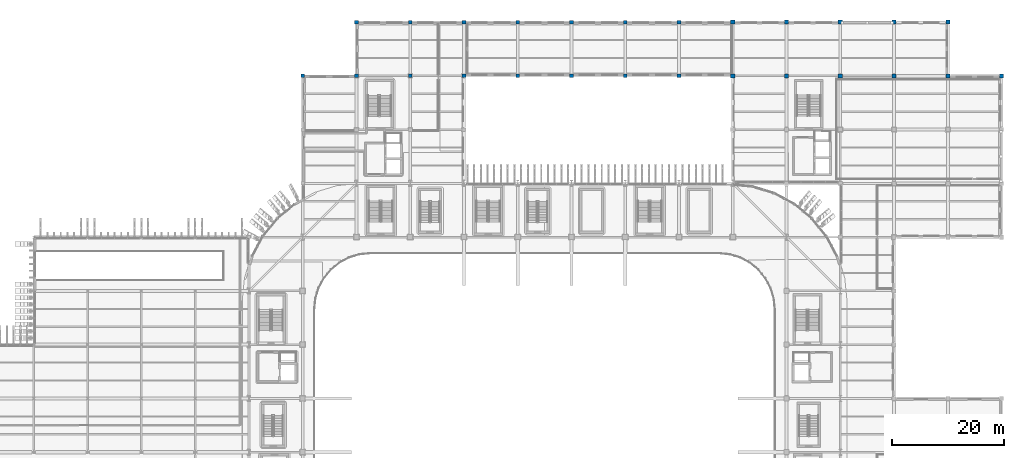
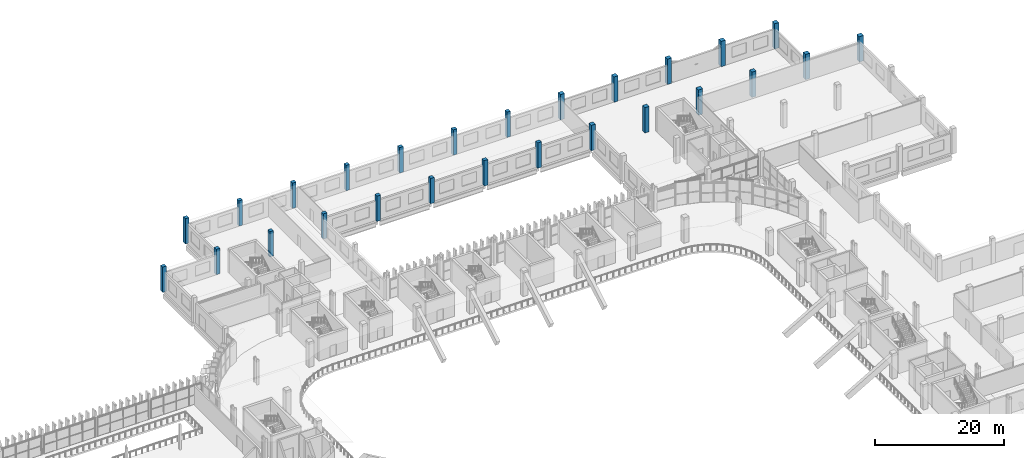
# One storey, part 12 of 100: 26 columns.
"""IFC4 building model written with IfcOpenShell, lengths in metres."""

from ifc_helpers import new_model, si_unit, direction, frame, origin, origin_2d, place, context, subcontext, project, spatial, rectangle, extrude, material, material_profile, profile_set, type_object, element, save


model = new_model("IFC4")

# Units and contexts
model_context = context("Model", 3, precision=1e-05, world=origin(), true_north=direction((0.0, 1.0)))
body_context = subcontext(model_context, "Body", "Model", "MODEL_VIEW")
ifc_project = project(units=[si_unit("LENGTHUNIT", "METRE"), si_unit("AREAUNIT", "SQUARE_METRE"), si_unit("VOLUMEUNIT", "CUBIC_METRE"), si_unit("PLANEANGLEUNIT", "RADIAN"), si_unit("MASSUNIT", "GRAM", prefix="KILO")], contexts=[model_context])

# Site, building, storey
site_placement = place(None, origin())
site = spatial("IfcSite", under=ifc_project, at=site_placement, CompositionType="ELEMENT")
building_placement = place(site_placement, origin())
building = spatial("IfcBuilding", under=site, at=building_placement, Name="Caelomonte Colonnade Arena", CompositionType="ELEMENT")
storey_placement = place(building_placement, origin())
storey = spatial("IfcBuildingStorey", under=building, at=storey_placement, Name="L00", CompositionType="ELEMENT", Elevation=0.0)

# Columns
ifc_material = material(Name="Concrete C40/50", Category="concrete")
ifc_material_profile_1 = material_profile(ifc_material, rectangle(XDim=0.64990234375, YDim=0.64990234375, at=origin_2d()), Name="RC650X650")
ifc_profile_set_1 = profile_set([ifc_material_profile_1], Name="Concrete C40/50")
column_type_1 = type_object("IfcColumnType", Name="STR-COL-RC65", PredefinedType="COLUMN", material=ifc_profile_set_1)
for number, where, z_axis, x_axis, name in (
    (1, (67.199951171875, 134.39990234375, 0.0), (0.0, 0.0, 1.0), (1.0, 0.0, 0.0), "L00 column (67.2, 134.4)"),
    (2, (76.800048828125, 134.39990234375, 0.0), (0.0, 0.0, 1.0), (1.0, 0.0, 0.0), "L00 column (76.8, 134.4)"),
    (3, (76.800048828125, 144.0, 0.0), (0.0, 0.0, 1.0), (1.0, 0.0, 0.0), "L00 column (76.8, 144.0)"),
    (4, (86.39990234375, 134.39990234375, 0.0), (0.0, 0.0, 1.0), (1.0, 0.0, 0.0), "L00 column (86.4, 134.4)"),
    (5, (86.39990234375, 144.0, 0.0), (0.0, 0.0, 1.0), (1.0, 0.0, 0.0), "L00 column (86.4, 144.0)"),
    (6, (96.0, 134.39990234375, 0.0), (0.0, 0.0, 1.0), (1.0, 0.0, 0.0), "L00 column (96.0, 134.4)"),
    (7, (96.0, 144.0, 0.0), (0.0, 0.0, 1.0), (1.0, 0.0, 0.0), "L00 column (96.0, 144.0)"),
    (8, (105.60009765625, 134.39990234375, 0.0), (0.0, 0.0, 1.0), (1.0, 0.0, 0.0), "L00 column (105.6, 134.4)"),
    (9, (105.60009765625, 144.0, 0.0), (0.0, 0.0, 1.0), (1.0, 0.0, 0.0), "L00 column (105.6, 144.0)"),
    (10, (115.199951171875, 134.39990234375, 0.0), (0.0, 0.0, 1.0), (1.0, 0.0, 0.0), "L00 column (115.2, 134.4)"),
    (11, (115.199951171875, 144.0, 0.0), (0.0, 0.0, 1.0), (1.0, 0.0, 0.0), "L00 column (115.2, 144.0)"),
    (12, (124.800048828125, 134.39990234375, 0.0), (0.0, 0.0, 1.0), (1.0, 0.0, 0.0), "L00 column (124.8, 134.4)"),
    (13, (124.800048828125, 144.0, 0.0), (0.0, 0.0, 1.0), (1.0, 0.0, 0.0), "L00 column (124.8, 144.0)"),
    (14, (134.39990234375, 134.39990234375, 0.0), (0.0, 0.0, 1.0), (1.0, 0.0, 0.0), "L00 column (134.4, 134.4)"),
    (15, (134.39990234375, 144.0, 0.0), (0.0, 0.0, 1.0), (1.0, 0.0, 0.0), "L00 column (134.4, 144.0)"),
):
    element("IfcColumn", number, at=place(storey_placement, frame(where, z_axis=z_axis, x_axis=x_axis)), inside=storey, type_object=column_type_1, Name=name, PredefinedType="COLUMN", context=body_context, shape_type="SweptSolid", body=[
        extrude(rectangle(XDim=0.64990234375, YDim=0.64990234375, at=origin_2d()), origin(), (0.0, 0.0, 1.0), 4.800048828125),
    ])
ifc_material_profile_2 = material_profile(ifc_material, rectangle(XDim=0.75, YDim=0.75, at=origin_2d()), Name="RC750X750")
ifc_profile_set_2 = profile_set([ifc_material_profile_2], Name="Concrete C40/50")
column_type_2 = type_object("IfcColumnType", Name="STR-COL-RC75", PredefinedType="COLUMN", material=ifc_profile_set_2)
for number, where, z_axis, x_axis, name in (
    (16, (144.0, 134.39990234375, 0.0), (0.0, 0.0, 1.0), (1.0, 0.0, 0.0), "L00 column (144.0, 134.4)"),
    (17, (144.0, 144.0, 0.0), (0.0, 0.0, 1.0), (1.0, 0.0, 0.0), "L00 column (144.0, 144.0)"),
    (18, (153.60009765625, 134.39990234375, 0.0), (0.0, 0.0, 1.0), (1.0, 0.0, 0.0), "L00 column (153.6, 134.4)"),
    (19, (153.60009765625, 144.0, 0.0), (0.0, 0.0, 1.0), (1.0, 0.0, 0.0), "L00 column (153.6, 144.0)"),
    (20, (163.199951171875, 134.39990234375, 0.0), (0.0, 0.0, 1.0), (1.0, 0.0, 0.0), "L00 column (163.2, 134.4)"),
    (21, (163.199951171875, 144.0, 0.0), (0.0, 0.0, 1.0), (1.0, 0.0, 0.0), "L00 column (163.2, 144.0)"),
    (22, (172.800048828125, 134.39990234375, 0.0), (0.0, 0.0, 1.0), (1.0, 0.0, 0.0), "L00 column (172.8, 134.4)"),
    (23, (172.800048828125, 144.0, 0.0), (0.0, 0.0, 1.0), (1.0, 0.0, 0.0), "L00 column (172.8, 144.0)"),
    (24, (182.39990234375, 134.39990234375, 0.0), (0.0, 0.0, 1.0), (1.0, 0.0, 0.0), "L00 column (182.4, 134.4)"),
    (25, (182.39990234375, 144.0, 0.0), (0.0, 0.0, 1.0), (1.0, 0.0, 0.0), "L00 column (182.4, 144.0)"),
    (26, (192.0, 134.39990234375, 0.0), (0.0, 0.0, 1.0), (1.0, 0.0, 0.0), "L00 column (192.0, 134.4)"),
):
    element("IfcColumn", number, at=place(storey_placement, frame(where, z_axis=z_axis, x_axis=x_axis)), inside=storey, type_object=column_type_2, Name=name, PredefinedType="COLUMN", context=body_context, shape_type="SweptSolid", body=[
        extrude(rectangle(XDim=0.75, YDim=0.75, at=origin_2d()), origin(), (0.0, 0.0, 1.0), 4.800048828125),
    ])

save(model, "model.ifc")
